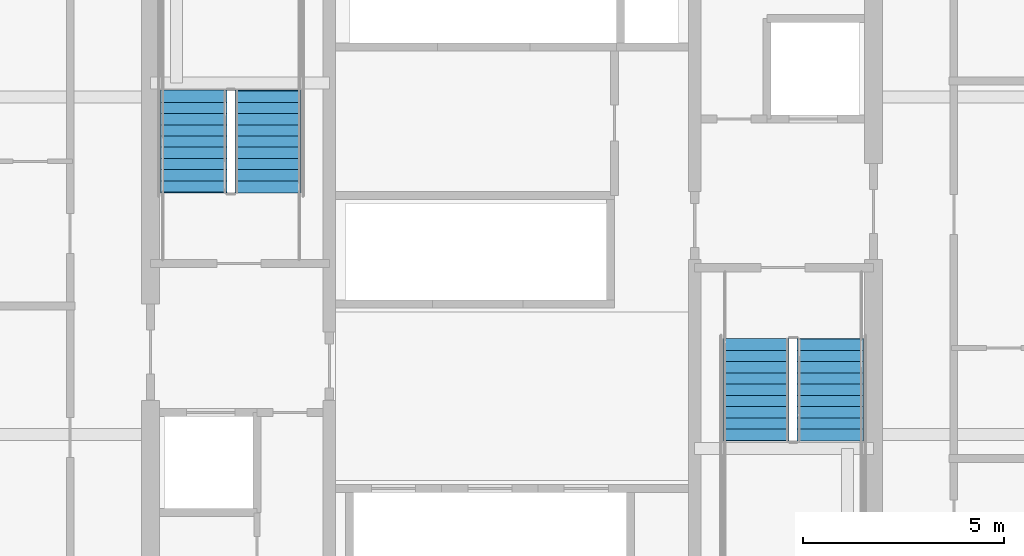
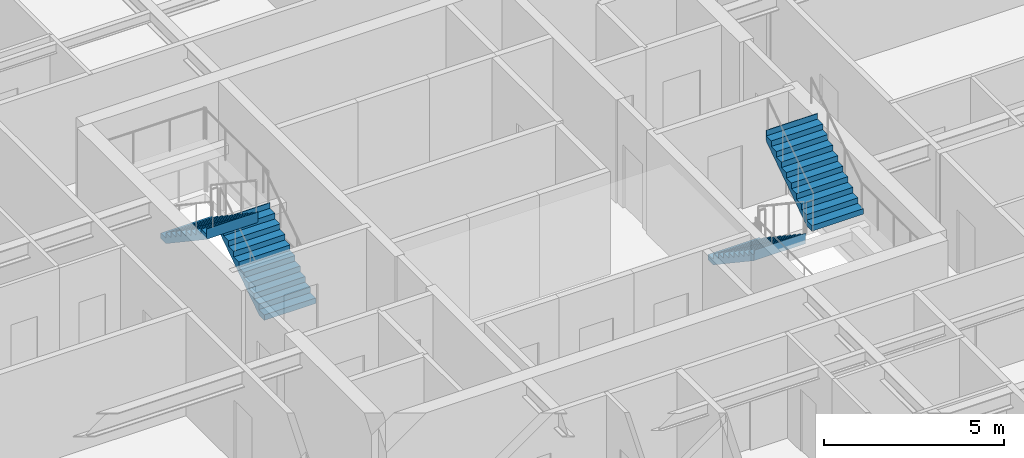
# One storey, part 33 of 38: 4 stair flights, 2 elements without a shape of their own.
"""IFC4 building model written with IfcOpenShell, lengths in metres."""

from ifc_helpers import new_model, si_unit, direction, frame, origin, place, context, subcontext, project, spatial, polygons, material, type_object, element, aggregate, save


model = new_model("IFC4")

# Units and contexts
model_context = context("Model", 3, precision=1e-05, world=origin(), true_north=direction((0.0, 1.0)))
body_context = subcontext(model_context, "Body", "Model", "MODEL_VIEW")
ifc_project = project(units=[si_unit("LENGTHUNIT", "METRE"), si_unit("AREAUNIT", "SQUARE_METRE"), si_unit("VOLUMEUNIT", "CUBIC_METRE"), si_unit("PLANEANGLEUNIT", "RADIAN"), si_unit("MASSUNIT", "GRAM", prefix="KILO")], contexts=[model_context])

# Site, building, storey
site_placement = place(None, origin())
site = spatial("IfcSite", under=ifc_project, at=site_placement, CompositionType="ELEMENT")
building_placement = place(site_placement, origin())
building = spatial("IfcBuilding", under=site, at=building_placement, Name="Serunith Strait Residences", CompositionType="ELEMENT")
storey_placement = place(building_placement, frame((0.0, 0.0, 67.949951171875)))
storey = spatial("IfcBuildingStorey", under=building, at=storey_placement, Name="L16", CompositionType="ELEMENT", Elevation=67.949951171875)

# Stair, stair flights
ifc_material = material(Name="Concrete C50/60", Category="concrete")
stair_type_1 = type_object("IfcStairType", Name="STR-CORE-1", PredefinedType="HALF_TURN_STAIR", material=ifc_material)
stair_1_placement = place(storey_placement, origin())
stair_1 = element("IfcStair", 1, at=stair_1_placement, inside=storey, type_object=stair_type_1, Name="L16 Protected Escape Stair ST-1", PredefinedType="HALF_TURN_STAIR")
stair_flight_type_1 = type_object("IfcStairFlightType", Name="FLT-CORE-1", PredefinedType="STRAIGHT", material=ifc_material)
stair_flight_1_placement = place(storey_placement, frame((26.324951171875, 27.030029296875, 0.0), z_axis=(0.0, 0.0, 1.0), x_axis=(0.0, 1.0, 0.0)))
stair_flight_1 = element("IfcStairFlight", 2, at=stair_flight_1_placement, type_object=stair_flight_type_1, Name="ST-1 flight 1", NumberOfRisers=10, NumberOfTreads=9, PredefinedType="STRAIGHT", RiserHeight=0.1875, TreadLength=0.28, context=body_context, shape_type="Tessellation", body=[
    polygons([(-0.02001953125, -0.824951171875, 0.0), (-0.02001953125, -0.824951171875, 0.1875), (0.280029296875, -0.824951171875, 0.1875), (0.280029296875, -0.824951171875, 0.375), (0.56005859375, -0.824951171875, 0.375), (0.56005859375, -0.824951171875, 0.5625), (0.840087890625, -0.824951171875, 0.5625), (0.840087890625, -0.824951171875, 0.75), (1.1201171875, -0.824951171875, 0.75), (1.1201171875, -0.824951171875, 0.9375), (1.39990234375, -0.824951171875, 0.9375), (1.39990234375, -0.824951171875, 1.125), (1.679931640625, -0.824951171875, 1.125), (1.679931640625, -0.824951171875, 1.3125), (1.9599609375, -0.824951171875, 1.3125), (1.9599609375, -0.824951171875, 1.5), (2.239990234375, -0.824951171875, 1.5), (2.239990234375, -0.824951171875, 1.6875), (2.52001953125, -0.824951171875, 1.6875), (2.52001953125, -0.824951171875, 1.875), (2.5400390625, -0.824951171875, 1.875), (2.5400390625, -0.824951171875, 1.81494140625), (2.52001953125, -0.824951171875, 1.507080078125), (0.26953125, -0.824951171875, 0.0), (-0.02001953125, -0.41259765625, 0.0), (-0.02001953125, -0.41259765625, 0.1875), (0.280029296875, -0.41259765625, 0.1875), (0.280029296875, -0.41259765625, 0.375), (0.56005859375, -0.41259765625, 0.375), (0.56005859375, -0.41259765625, 0.5625), (0.840087890625, -0.41259765625, 0.5625), (0.840087890625, -0.41259765625, 0.75), (1.1201171875, -0.41259765625, 0.75), (1.1201171875, -0.41259765625, 0.9375), (1.39990234375, -0.41259765625, 0.9375), (1.39990234375, -0.41259765625, 1.125), (1.679931640625, -0.41259765625, 1.125), (1.679931640625, -0.41259765625, 1.3125), (1.9599609375, -0.41259765625, 1.3125), (1.9599609375, -0.41259765625, 1.5), (2.239990234375, -0.41259765625, 1.5), (2.239990234375, -0.41259765625, 1.6875), (2.52001953125, -0.41259765625, 1.6875), (2.52001953125, -0.41259765625, 1.875), (2.5400390625, -0.41259765625, 1.875), (2.5400390625, -0.41259765625, 1.81494140625), (2.52001953125, -0.41259765625, 1.507080078125), (0.26953125, -0.41259765625, 0.0), (-0.02001953125, 0.0, 0.0), (-0.02001953125, 0.0, 0.1875), (0.280029296875, 0.0, 0.1875), (0.280029296875, 0.0, 0.375), (0.56005859375, 0.0, 0.375), (0.56005859375, 0.0, 0.5625), (0.840087890625, 0.0, 0.5625), (0.840087890625, 0.0, 0.75), (1.1201171875, 0.0, 0.75), (1.1201171875, 0.0, 0.9375), (1.39990234375, 0.0, 0.9375), (1.39990234375, 0.0, 1.125), (1.679931640625, 0.0, 1.125), (1.679931640625, 0.0, 1.3125), (1.9599609375, 0.0, 1.3125), (1.9599609375, 0.0, 1.5), (2.239990234375, 0.0, 1.5), (2.239990234375, 0.0, 1.6875), (2.52001953125, 0.0, 1.6875), (2.52001953125, 0.0, 1.875), (2.5400390625, 0.0, 1.875), (2.5400390625, 0.0, 1.81494140625), (2.52001953125, 0.0, 1.507080078125), (0.26953125, 0.0, 0.0), (-0.02001953125, 0.41259765625, 0.0), (-0.02001953125, 0.41259765625, 0.1875), (0.280029296875, 0.41259765625, 0.1875), (0.280029296875, 0.41259765625, 0.375), (0.56005859375, 0.41259765625, 0.375), (0.56005859375, 0.41259765625, 0.5625), (0.840087890625, 0.41259765625, 0.5625), (0.840087890625, 0.41259765625, 0.75), (1.1201171875, 0.41259765625, 0.75), (1.1201171875, 0.41259765625, 0.9375), (1.39990234375, 0.41259765625, 0.9375), (1.39990234375, 0.41259765625, 1.125), (1.679931640625, 0.41259765625, 1.125), (1.679931640625, 0.41259765625, 1.3125), (1.9599609375, 0.41259765625, 1.3125), (1.9599609375, 0.41259765625, 1.5), (2.239990234375, 0.41259765625, 1.5), (2.239990234375, 0.41259765625, 1.6875), (2.52001953125, 0.41259765625, 1.6875), (2.52001953125, 0.41259765625, 1.875), (2.5400390625, 0.41259765625, 1.875), (2.5400390625, 0.41259765625, 1.81494140625), (2.52001953125, 0.41259765625, 1.507080078125), (0.26953125, 0.41259765625, 0.0), (-0.02001953125, 0.824951171875, 0.0), (-0.02001953125, 0.824951171875, 0.1875), (0.280029296875, 0.824951171875, 0.1875), (0.280029296875, 0.824951171875, 0.375), (0.56005859375, 0.824951171875, 0.375), (0.56005859375, 0.824951171875, 0.5625), (0.840087890625, 0.824951171875, 0.5625), (0.840087890625, 0.824951171875, 0.75), (1.1201171875, 0.824951171875, 0.75), (1.1201171875, 0.824951171875, 0.9375), (1.39990234375, 0.824951171875, 0.9375), (1.39990234375, 0.824951171875, 1.125), (1.679931640625, 0.824951171875, 1.125), (1.679931640625, 0.824951171875, 1.3125), (1.9599609375, 0.824951171875, 1.3125), (1.9599609375, 0.824951171875, 1.5), (2.239990234375, 0.824951171875, 1.5), (2.239990234375, 0.824951171875, 1.6875), (2.52001953125, 0.824951171875, 1.6875), (2.52001953125, 0.824951171875, 1.875), (2.5400390625, 0.824951171875, 1.875), (2.5400390625, 0.824951171875, 1.81494140625), (2.52001953125, 0.824951171875, 1.507080078125), (0.26953125, 0.824951171875, 0.0)], [[[1, 2, 26, 25]], [[2, 3, 27, 26]], [[3, 4, 28, 27]], [[4, 5, 29, 28]], [[5, 6, 30, 29]], [[6, 7, 31, 30]], [[7, 8, 32, 31]], [[8, 9, 33, 32]], [[9, 10, 34, 33]], [[10, 11, 35, 34]], [[11, 12, 36, 35]], [[12, 13, 37, 36]], [[13, 14, 38, 37]], [[14, 15, 39, 38]], [[15, 16, 40, 39]], [[16, 17, 41, 40]], [[17, 18, 42, 41]], [[18, 19, 43, 42]], [[19, 20, 44, 43]], [[20, 21, 45, 44]], [[21, 22, 46, 45]], [[22, 23, 47, 46]], [[23, 24, 48, 47]], [[24, 1, 25, 48]], [[25, 26, 50, 49]], [[26, 27, 51, 50]], [[27, 28, 52, 51]], [[28, 29, 53, 52]], [[29, 30, 54, 53]], [[30, 31, 55, 54]], [[31, 32, 56, 55]], [[32, 33, 57, 56]], [[33, 34, 58, 57]], [[34, 35, 59, 58]], [[35, 36, 60, 59]], [[36, 37, 61, 60]], [[37, 38, 62, 61]], [[38, 39, 63, 62]], [[39, 40, 64, 63]], [[40, 41, 65, 64]], [[41, 42, 66, 65]], [[42, 43, 67, 66]], [[43, 44, 68, 67]], [[44, 45, 69, 68]], [[45, 46, 70, 69]], [[46, 47, 71, 70]], [[47, 48, 72, 71]], [[48, 25, 49, 72]], [[49, 50, 74, 73]], [[50, 51, 75, 74]], [[51, 52, 76, 75]], [[52, 53, 77, 76]], [[53, 54, 78, 77]], [[54, 55, 79, 78]], [[55, 56, 80, 79]], [[56, 57, 81, 80]], [[57, 58, 82, 81]], [[58, 59, 83, 82]], [[59, 60, 84, 83]], [[60, 61, 85, 84]], [[61, 62, 86, 85]], [[62, 63, 87, 86]], [[63, 64, 88, 87]], [[64, 65, 89, 88]], [[65, 66, 90, 89]], [[66, 67, 91, 90]], [[67, 68, 92, 91]], [[68, 69, 93, 92]], [[69, 70, 94, 93]], [[70, 71, 95, 94]], [[71, 72, 96, 95]], [[72, 49, 73, 96]], [[73, 74, 98, 97]], [[74, 75, 99, 98]], [[75, 76, 100, 99]], [[76, 77, 101, 100]], [[77, 78, 102, 101]], [[78, 79, 103, 102]], [[79, 80, 104, 103]], [[80, 81, 105, 104]], [[81, 82, 106, 105]], [[82, 83, 107, 106]], [[83, 84, 108, 107]], [[84, 85, 109, 108]], [[85, 86, 110, 109]], [[86, 87, 111, 110]], [[87, 88, 112, 111]], [[88, 89, 113, 112]], [[89, 90, 114, 113]], [[90, 91, 115, 114]], [[91, 92, 116, 115]], [[92, 93, 117, 116]], [[93, 94, 118, 117]], [[94, 95, 119, 118]], [[95, 96, 120, 119]], [[96, 73, 97, 120]], [[24, 23, 22, 21, 20, 19, 18, 17, 16, 15, 14, 13, 12, 11, 10, 9, 8, 7, 6, 5, 4, 3, 2, 1]], [[97, 98, 99, 100, 101, 102, 103, 104, 105, 106, 107, 108, 109, 110, 111, 112, 113, 114, 115, 116, 117, 118, 119, 120]]], closed=True),
])
stair_flight_2_placement = place(storey_placement, frame((24.47509765625, 29.550048828125, 1.875), z_axis=(0.0, 0.0, 1.0), x_axis=(0.0, -1.0, 0.0)))
stair_flight_2 = element("IfcStairFlight", 3, at=stair_flight_2_placement, type_object=stair_flight_type_1, Name="ST-1 flight 2", NumberOfRisers=10, NumberOfTreads=9, PredefinedType="STRAIGHT", RiserHeight=0.1875, TreadLength=0.28, context=body_context, shape_type="Tessellation", body=[
    polygons([(-0.02001953125, -0.824951171875, 0.0), (-0.02001953125, -0.824951171875, 0.1875), (0.280029296875, -0.824951171875, 0.1875), (0.280029296875, -0.824951171875, 0.375), (0.56005859375, -0.824951171875, 0.375), (0.56005859375, -0.824951171875, 0.5625), (0.840087890625, -0.824951171875, 0.5625), (0.840087890625, -0.824951171875, 0.75), (1.1201171875, -0.824951171875, 0.75), (1.1201171875, -0.824951171875, 0.9375), (1.39990234375, -0.824951171875, 0.9375), (1.39990234375, -0.824951171875, 1.125), (1.679931640625, -0.824951171875, 1.125), (1.679931640625, -0.824951171875, 1.3125), (1.9599609375, -0.824951171875, 1.3125), (1.9599609375, -0.824951171875, 1.5), (2.239990234375, -0.824951171875, 1.5), (2.239990234375, -0.824951171875, 1.6875), (2.52001953125, -0.824951171875, 1.6875), (2.52001953125, -0.824951171875, 1.875), (2.5400390625, -0.824951171875, 1.875), (2.5400390625, -0.824951171875, 1.81494140625), (2.52001953125, -0.824951171875, 1.507080078125), (0.26953125, -0.824951171875, 0.0), (-0.02001953125, -0.41259765625, 0.0), (-0.02001953125, -0.41259765625, 0.1875), (0.280029296875, -0.41259765625, 0.1875), (0.280029296875, -0.41259765625, 0.375), (0.56005859375, -0.41259765625, 0.375), (0.56005859375, -0.41259765625, 0.5625), (0.840087890625, -0.41259765625, 0.5625), (0.840087890625, -0.41259765625, 0.75), (1.1201171875, -0.41259765625, 0.75), (1.1201171875, -0.41259765625, 0.9375), (1.39990234375, -0.41259765625, 0.9375), (1.39990234375, -0.41259765625, 1.125), (1.679931640625, -0.41259765625, 1.125), (1.679931640625, -0.41259765625, 1.3125), (1.9599609375, -0.41259765625, 1.3125), (1.9599609375, -0.41259765625, 1.5), (2.239990234375, -0.41259765625, 1.5), (2.239990234375, -0.41259765625, 1.6875), (2.52001953125, -0.41259765625, 1.6875), (2.52001953125, -0.41259765625, 1.875), (2.5400390625, -0.41259765625, 1.875), (2.5400390625, -0.41259765625, 1.81494140625), (2.52001953125, -0.41259765625, 1.507080078125), (0.26953125, -0.41259765625, 0.0), (-0.02001953125, 0.0, 0.0), (-0.02001953125, 0.0, 0.1875), (0.280029296875, 0.0, 0.1875), (0.280029296875, 0.0, 0.375), (0.56005859375, 0.0, 0.375), (0.56005859375, 0.0, 0.5625), (0.840087890625, 0.0, 0.5625), (0.840087890625, 0.0, 0.75), (1.1201171875, 0.0, 0.75), (1.1201171875, 0.0, 0.9375), (1.39990234375, 0.0, 0.9375), (1.39990234375, 0.0, 1.125), (1.679931640625, 0.0, 1.125), (1.679931640625, 0.0, 1.3125), (1.9599609375, 0.0, 1.3125), (1.9599609375, 0.0, 1.5), (2.239990234375, 0.0, 1.5), (2.239990234375, 0.0, 1.6875), (2.52001953125, 0.0, 1.6875), (2.52001953125, 0.0, 1.875), (2.5400390625, 0.0, 1.875), (2.5400390625, 0.0, 1.81494140625), (2.52001953125, 0.0, 1.507080078125), (0.26953125, 0.0, 0.0), (-0.02001953125, 0.41259765625, 0.0), (-0.02001953125, 0.41259765625, 0.1875), (0.280029296875, 0.41259765625, 0.1875), (0.280029296875, 0.41259765625, 0.375), (0.56005859375, 0.41259765625, 0.375), (0.56005859375, 0.41259765625, 0.5625), (0.840087890625, 0.41259765625, 0.5625), (0.840087890625, 0.41259765625, 0.75), (1.1201171875, 0.41259765625, 0.75), (1.1201171875, 0.41259765625, 0.9375), (1.39990234375, 0.41259765625, 0.9375), (1.39990234375, 0.41259765625, 1.125), (1.679931640625, 0.41259765625, 1.125), (1.679931640625, 0.41259765625, 1.3125), (1.9599609375, 0.41259765625, 1.3125), (1.9599609375, 0.41259765625, 1.5), (2.239990234375, 0.41259765625, 1.5), (2.239990234375, 0.41259765625, 1.6875), (2.52001953125, 0.41259765625, 1.6875), (2.52001953125, 0.41259765625, 1.875), (2.5400390625, 0.41259765625, 1.875), (2.5400390625, 0.41259765625, 1.81494140625), (2.52001953125, 0.41259765625, 1.507080078125), (0.26953125, 0.41259765625, 0.0), (-0.02001953125, 0.824951171875, 0.0), (-0.02001953125, 0.824951171875, 0.1875), (0.280029296875, 0.824951171875, 0.1875), (0.280029296875, 0.824951171875, 0.375), (0.56005859375, 0.824951171875, 0.375), (0.56005859375, 0.824951171875, 0.5625), (0.840087890625, 0.824951171875, 0.5625), (0.840087890625, 0.824951171875, 0.75), (1.1201171875, 0.824951171875, 0.75), (1.1201171875, 0.824951171875, 0.9375), (1.39990234375, 0.824951171875, 0.9375), (1.39990234375, 0.824951171875, 1.125), (1.679931640625, 0.824951171875, 1.125), (1.679931640625, 0.824951171875, 1.3125), (1.9599609375, 0.824951171875, 1.3125), (1.9599609375, 0.824951171875, 1.5), (2.239990234375, 0.824951171875, 1.5), (2.239990234375, 0.824951171875, 1.6875), (2.52001953125, 0.824951171875, 1.6875), (2.52001953125, 0.824951171875, 1.875), (2.5400390625, 0.824951171875, 1.875), (2.5400390625, 0.824951171875, 1.81494140625), (2.52001953125, 0.824951171875, 1.507080078125), (0.26953125, 0.824951171875, 0.0)], [[[1, 2, 26, 25]], [[2, 3, 27, 26]], [[3, 4, 28, 27]], [[4, 5, 29, 28]], [[5, 6, 30, 29]], [[6, 7, 31, 30]], [[7, 8, 32, 31]], [[8, 9, 33, 32]], [[9, 10, 34, 33]], [[10, 11, 35, 34]], [[11, 12, 36, 35]], [[12, 13, 37, 36]], [[13, 14, 38, 37]], [[14, 15, 39, 38]], [[15, 16, 40, 39]], [[16, 17, 41, 40]], [[17, 18, 42, 41]], [[18, 19, 43, 42]], [[19, 20, 44, 43]], [[20, 21, 45, 44]], [[21, 22, 46, 45]], [[22, 23, 47, 46]], [[23, 24, 48, 47]], [[24, 1, 25, 48]], [[25, 26, 50, 49]], [[26, 27, 51, 50]], [[27, 28, 52, 51]], [[28, 29, 53, 52]], [[29, 30, 54, 53]], [[30, 31, 55, 54]], [[31, 32, 56, 55]], [[32, 33, 57, 56]], [[33, 34, 58, 57]], [[34, 35, 59, 58]], [[35, 36, 60, 59]], [[36, 37, 61, 60]], [[37, 38, 62, 61]], [[38, 39, 63, 62]], [[39, 40, 64, 63]], [[40, 41, 65, 64]], [[41, 42, 66, 65]], [[42, 43, 67, 66]], [[43, 44, 68, 67]], [[44, 45, 69, 68]], [[45, 46, 70, 69]], [[46, 47, 71, 70]], [[47, 48, 72, 71]], [[48, 25, 49, 72]], [[49, 50, 74, 73]], [[50, 51, 75, 74]], [[51, 52, 76, 75]], [[52, 53, 77, 76]], [[53, 54, 78, 77]], [[54, 55, 79, 78]], [[55, 56, 80, 79]], [[56, 57, 81, 80]], [[57, 58, 82, 81]], [[58, 59, 83, 82]], [[59, 60, 84, 83]], [[60, 61, 85, 84]], [[61, 62, 86, 85]], [[62, 63, 87, 86]], [[63, 64, 88, 87]], [[64, 65, 89, 88]], [[65, 66, 90, 89]], [[66, 67, 91, 90]], [[67, 68, 92, 91]], [[68, 69, 93, 92]], [[69, 70, 94, 93]], [[70, 71, 95, 94]], [[71, 72, 96, 95]], [[72, 49, 73, 96]], [[73, 74, 98, 97]], [[74, 75, 99, 98]], [[75, 76, 100, 99]], [[76, 77, 101, 100]], [[77, 78, 102, 101]], [[78, 79, 103, 102]], [[79, 80, 104, 103]], [[80, 81, 105, 104]], [[81, 82, 106, 105]], [[82, 83, 107, 106]], [[83, 84, 108, 107]], [[84, 85, 109, 108]], [[85, 86, 110, 109]], [[86, 87, 111, 110]], [[87, 88, 112, 111]], [[88, 89, 113, 112]], [[89, 90, 114, 113]], [[90, 91, 115, 114]], [[91, 92, 116, 115]], [[92, 93, 117, 116]], [[93, 94, 118, 117]], [[94, 95, 119, 118]], [[95, 96, 120, 119]], [[96, 73, 97, 120]], [[24, 23, 22, 21, 20, 19, 18, 17, 16, 15, 14, 13, 12, 11, 10, 9, 8, 7, 6, 5, 4, 3, 2, 1]], [[97, 98, 99, 100, 101, 102, 103, 104, 105, 106, 107, 108, 109, 110, 111, 112, 113, 114, 115, 116, 117, 118, 119, 120]]], closed=True),
])
aggregate(stair_1, [stair_flight_1, stair_flight_2])

stair_type_2 = type_object("IfcStairType", Name="STR-CORE-2", PredefinedType="HALF_TURN_STAIR", material=ifc_material)
stair_2_placement = place(storey_placement, origin())
stair_2 = element("IfcStair", 4, at=stair_2_placement, inside=storey, type_object=stair_type_2, Name="L16 Protected Escape Stair ST-2", PredefinedType="HALF_TURN_STAIR")
stair_flight_type_2 = type_object("IfcStairFlightType", Name="FLT-CORE-2", PredefinedType="STRAIGHT", material=ifc_material)
stair_flight_3_placement = place(storey_placement, frame((38.47509765625, 23.3701171875, 0.0), z_axis=(0.0, 0.0, 1.0), x_axis=(0.0, -1.0, 0.0)))
stair_flight_3 = element("IfcStairFlight", 5, at=stair_flight_3_placement, type_object=stair_flight_type_2, Name="ST-2 flight 1", NumberOfRisers=10, NumberOfTreads=9, PredefinedType="STRAIGHT", RiserHeight=0.1875, TreadLength=0.28, context=body_context, shape_type="Tessellation", body=[
    polygons([(-0.02001953125, -0.824951171875, 0.0), (-0.02001953125, -0.824951171875, 0.1875), (0.280029296875, -0.824951171875, 0.1875), (0.280029296875, -0.824951171875, 0.375), (0.56005859375, -0.824951171875, 0.375), (0.56005859375, -0.824951171875, 0.5625), (0.840087890625, -0.824951171875, 0.5625), (0.840087890625, -0.824951171875, 0.75), (1.1201171875, -0.824951171875, 0.75), (1.1201171875, -0.824951171875, 0.9375), (1.39990234375, -0.824951171875, 0.9375), (1.39990234375, -0.824951171875, 1.125), (1.679931640625, -0.824951171875, 1.125), (1.679931640625, -0.824951171875, 1.3125), (1.9599609375, -0.824951171875, 1.3125), (1.9599609375, -0.824951171875, 1.5), (2.239990234375, -0.824951171875, 1.5), (2.239990234375, -0.824951171875, 1.6875), (2.52001953125, -0.824951171875, 1.6875), (2.52001953125, -0.824951171875, 1.875), (2.5400390625, -0.824951171875, 1.875), (2.5400390625, -0.824951171875, 1.81494140625), (2.52001953125, -0.824951171875, 1.507080078125), (0.26953125, -0.824951171875, 0.0), (-0.02001953125, -0.41259765625, 0.0), (-0.02001953125, -0.41259765625, 0.1875), (0.280029296875, -0.41259765625, 0.1875), (0.280029296875, -0.41259765625, 0.375), (0.56005859375, -0.41259765625, 0.375), (0.56005859375, -0.41259765625, 0.5625), (0.840087890625, -0.41259765625, 0.5625), (0.840087890625, -0.41259765625, 0.75), (1.1201171875, -0.41259765625, 0.75), (1.1201171875, -0.41259765625, 0.9375), (1.39990234375, -0.41259765625, 0.9375), (1.39990234375, -0.41259765625, 1.125), (1.679931640625, -0.41259765625, 1.125), (1.679931640625, -0.41259765625, 1.3125), (1.9599609375, -0.41259765625, 1.3125), (1.9599609375, -0.41259765625, 1.5), (2.239990234375, -0.41259765625, 1.5), (2.239990234375, -0.41259765625, 1.6875), (2.52001953125, -0.41259765625, 1.6875), (2.52001953125, -0.41259765625, 1.875), (2.5400390625, -0.41259765625, 1.875), (2.5400390625, -0.41259765625, 1.81494140625), (2.52001953125, -0.41259765625, 1.507080078125), (0.26953125, -0.41259765625, 0.0), (-0.02001953125, 0.0, 0.0), (-0.02001953125, 0.0, 0.1875), (0.280029296875, 0.0, 0.1875), (0.280029296875, 0.0, 0.375), (0.56005859375, 0.0, 0.375), (0.56005859375, 0.0, 0.5625), (0.840087890625, 0.0, 0.5625), (0.840087890625, 0.0, 0.75), (1.1201171875, 0.0, 0.75), (1.1201171875, 0.0, 0.9375), (1.39990234375, 0.0, 0.9375), (1.39990234375, 0.0, 1.125), (1.679931640625, 0.0, 1.125), (1.679931640625, 0.0, 1.3125), (1.9599609375, 0.0, 1.3125), (1.9599609375, 0.0, 1.5), (2.239990234375, 0.0, 1.5), (2.239990234375, 0.0, 1.6875), (2.52001953125, 0.0, 1.6875), (2.52001953125, 0.0, 1.875), (2.5400390625, 0.0, 1.875), (2.5400390625, 0.0, 1.81494140625), (2.52001953125, 0.0, 1.507080078125), (0.26953125, 0.0, 0.0), (-0.02001953125, 0.41259765625, 0.0), (-0.02001953125, 0.41259765625, 0.1875), (0.280029296875, 0.41259765625, 0.1875), (0.280029296875, 0.41259765625, 0.375), (0.56005859375, 0.41259765625, 0.375), (0.56005859375, 0.41259765625, 0.5625), (0.840087890625, 0.41259765625, 0.5625), (0.840087890625, 0.41259765625, 0.75), (1.1201171875, 0.41259765625, 0.75), (1.1201171875, 0.41259765625, 0.9375), (1.39990234375, 0.41259765625, 0.9375), (1.39990234375, 0.41259765625, 1.125), (1.679931640625, 0.41259765625, 1.125), (1.679931640625, 0.41259765625, 1.3125), (1.9599609375, 0.41259765625, 1.3125), (1.9599609375, 0.41259765625, 1.5), (2.239990234375, 0.41259765625, 1.5), (2.239990234375, 0.41259765625, 1.6875), (2.52001953125, 0.41259765625, 1.6875), (2.52001953125, 0.41259765625, 1.875), (2.5400390625, 0.41259765625, 1.875), (2.5400390625, 0.41259765625, 1.81494140625), (2.52001953125, 0.41259765625, 1.507080078125), (0.26953125, 0.41259765625, 0.0), (-0.02001953125, 0.824951171875, 0.0), (-0.02001953125, 0.824951171875, 0.1875), (0.280029296875, 0.824951171875, 0.1875), (0.280029296875, 0.824951171875, 0.375), (0.56005859375, 0.824951171875, 0.375), (0.56005859375, 0.824951171875, 0.5625), (0.840087890625, 0.824951171875, 0.5625), (0.840087890625, 0.824951171875, 0.75), (1.1201171875, 0.824951171875, 0.75), (1.1201171875, 0.824951171875, 0.9375), (1.39990234375, 0.824951171875, 0.9375), (1.39990234375, 0.824951171875, 1.125), (1.679931640625, 0.824951171875, 1.125), (1.679931640625, 0.824951171875, 1.3125), (1.9599609375, 0.824951171875, 1.3125), (1.9599609375, 0.824951171875, 1.5), (2.239990234375, 0.824951171875, 1.5), (2.239990234375, 0.824951171875, 1.6875), (2.52001953125, 0.824951171875, 1.6875), (2.52001953125, 0.824951171875, 1.875), (2.5400390625, 0.824951171875, 1.875), (2.5400390625, 0.824951171875, 1.81494140625), (2.52001953125, 0.824951171875, 1.507080078125), (0.26953125, 0.824951171875, 0.0)], [[[1, 2, 26, 25]], [[2, 3, 27, 26]], [[3, 4, 28, 27]], [[4, 5, 29, 28]], [[5, 6, 30, 29]], [[6, 7, 31, 30]], [[7, 8, 32, 31]], [[8, 9, 33, 32]], [[9, 10, 34, 33]], [[10, 11, 35, 34]], [[11, 12, 36, 35]], [[12, 13, 37, 36]], [[13, 14, 38, 37]], [[14, 15, 39, 38]], [[15, 16, 40, 39]], [[16, 17, 41, 40]], [[17, 18, 42, 41]], [[18, 19, 43, 42]], [[19, 20, 44, 43]], [[20, 21, 45, 44]], [[21, 22, 46, 45]], [[22, 23, 47, 46]], [[23, 24, 48, 47]], [[24, 1, 25, 48]], [[25, 26, 50, 49]], [[26, 27, 51, 50]], [[27, 28, 52, 51]], [[28, 29, 53, 52]], [[29, 30, 54, 53]], [[30, 31, 55, 54]], [[31, 32, 56, 55]], [[32, 33, 57, 56]], [[33, 34, 58, 57]], [[34, 35, 59, 58]], [[35, 36, 60, 59]], [[36, 37, 61, 60]], [[37, 38, 62, 61]], [[38, 39, 63, 62]], [[39, 40, 64, 63]], [[40, 41, 65, 64]], [[41, 42, 66, 65]], [[42, 43, 67, 66]], [[43, 44, 68, 67]], [[44, 45, 69, 68]], [[45, 46, 70, 69]], [[46, 47, 71, 70]], [[47, 48, 72, 71]], [[48, 25, 49, 72]], [[49, 50, 74, 73]], [[50, 51, 75, 74]], [[51, 52, 76, 75]], [[52, 53, 77, 76]], [[53, 54, 78, 77]], [[54, 55, 79, 78]], [[55, 56, 80, 79]], [[56, 57, 81, 80]], [[57, 58, 82, 81]], [[58, 59, 83, 82]], [[59, 60, 84, 83]], [[60, 61, 85, 84]], [[61, 62, 86, 85]], [[62, 63, 87, 86]], [[63, 64, 88, 87]], [[64, 65, 89, 88]], [[65, 66, 90, 89]], [[66, 67, 91, 90]], [[67, 68, 92, 91]], [[68, 69, 93, 92]], [[69, 70, 94, 93]], [[70, 71, 95, 94]], [[71, 72, 96, 95]], [[72, 49, 73, 96]], [[73, 74, 98, 97]], [[74, 75, 99, 98]], [[75, 76, 100, 99]], [[76, 77, 101, 100]], [[77, 78, 102, 101]], [[78, 79, 103, 102]], [[79, 80, 104, 103]], [[80, 81, 105, 104]], [[81, 82, 106, 105]], [[82, 83, 107, 106]], [[83, 84, 108, 107]], [[84, 85, 109, 108]], [[85, 86, 110, 109]], [[86, 87, 111, 110]], [[87, 88, 112, 111]], [[88, 89, 113, 112]], [[89, 90, 114, 113]], [[90, 91, 115, 114]], [[91, 92, 116, 115]], [[92, 93, 117, 116]], [[93, 94, 118, 117]], [[94, 95, 119, 118]], [[95, 96, 120, 119]], [[96, 73, 97, 120]], [[24, 23, 22, 21, 20, 19, 18, 17, 16, 15, 14, 13, 12, 11, 10, 9, 8, 7, 6, 5, 4, 3, 2, 1]], [[97, 98, 99, 100, 101, 102, 103, 104, 105, 106, 107, 108, 109, 110, 111, 112, 113, 114, 115, 116, 117, 118, 119, 120]]], closed=True),
])
stair_flight_4_placement = place(storey_placement, frame((40.324951171875, 20.85009765625, 1.875), z_axis=(0.0, 0.0, 1.0), x_axis=(0.0, 1.0, 0.0)))
stair_flight_4 = element("IfcStairFlight", 6, at=stair_flight_4_placement, type_object=stair_flight_type_2, Name="ST-2 flight 2", NumberOfRisers=10, NumberOfTreads=9, PredefinedType="STRAIGHT", RiserHeight=0.1875, TreadLength=0.28, context=body_context, shape_type="Tessellation", body=[
    polygons([(-0.02001953125, -0.824951171875, 0.0), (-0.02001953125, -0.824951171875, 0.1875), (0.280029296875, -0.824951171875, 0.1875), (0.280029296875, -0.824951171875, 0.375), (0.56005859375, -0.824951171875, 0.375), (0.56005859375, -0.824951171875, 0.5625), (0.840087890625, -0.824951171875, 0.5625), (0.840087890625, -0.824951171875, 0.75), (1.1201171875, -0.824951171875, 0.75), (1.1201171875, -0.824951171875, 0.9375), (1.39990234375, -0.824951171875, 0.9375), (1.39990234375, -0.824951171875, 1.125), (1.679931640625, -0.824951171875, 1.125), (1.679931640625, -0.824951171875, 1.3125), (1.9599609375, -0.824951171875, 1.3125), (1.9599609375, -0.824951171875, 1.5), (2.239990234375, -0.824951171875, 1.5), (2.239990234375, -0.824951171875, 1.6875), (2.52001953125, -0.824951171875, 1.6875), (2.52001953125, -0.824951171875, 1.875), (2.5400390625, -0.824951171875, 1.875), (2.5400390625, -0.824951171875, 1.81494140625), (2.52001953125, -0.824951171875, 1.507080078125), (0.26953125, -0.824951171875, 0.0), (-0.02001953125, -0.41259765625, 0.0), (-0.02001953125, -0.41259765625, 0.1875), (0.280029296875, -0.41259765625, 0.1875), (0.280029296875, -0.41259765625, 0.375), (0.56005859375, -0.41259765625, 0.375), (0.56005859375, -0.41259765625, 0.5625), (0.840087890625, -0.41259765625, 0.5625), (0.840087890625, -0.41259765625, 0.75), (1.1201171875, -0.41259765625, 0.75), (1.1201171875, -0.41259765625, 0.9375), (1.39990234375, -0.41259765625, 0.9375), (1.39990234375, -0.41259765625, 1.125), (1.679931640625, -0.41259765625, 1.125), (1.679931640625, -0.41259765625, 1.3125), (1.9599609375, -0.41259765625, 1.3125), (1.9599609375, -0.41259765625, 1.5), (2.239990234375, -0.41259765625, 1.5), (2.239990234375, -0.41259765625, 1.6875), (2.52001953125, -0.41259765625, 1.6875), (2.52001953125, -0.41259765625, 1.875), (2.5400390625, -0.41259765625, 1.875), (2.5400390625, -0.41259765625, 1.81494140625), (2.52001953125, -0.41259765625, 1.507080078125), (0.26953125, -0.41259765625, 0.0), (-0.02001953125, 0.0, 0.0), (-0.02001953125, 0.0, 0.1875), (0.280029296875, 0.0, 0.1875), (0.280029296875, 0.0, 0.375), (0.56005859375, 0.0, 0.375), (0.56005859375, 0.0, 0.5625), (0.840087890625, 0.0, 0.5625), (0.840087890625, 0.0, 0.75), (1.1201171875, 0.0, 0.75), (1.1201171875, 0.0, 0.9375), (1.39990234375, 0.0, 0.9375), (1.39990234375, 0.0, 1.125), (1.679931640625, 0.0, 1.125), (1.679931640625, 0.0, 1.3125), (1.9599609375, 0.0, 1.3125), (1.9599609375, 0.0, 1.5), (2.239990234375, 0.0, 1.5), (2.239990234375, 0.0, 1.6875), (2.52001953125, 0.0, 1.6875), (2.52001953125, 0.0, 1.875), (2.5400390625, 0.0, 1.875), (2.5400390625, 0.0, 1.81494140625), (2.52001953125, 0.0, 1.507080078125), (0.26953125, 0.0, 0.0), (-0.02001953125, 0.41259765625, 0.0), (-0.02001953125, 0.41259765625, 0.1875), (0.280029296875, 0.41259765625, 0.1875), (0.280029296875, 0.41259765625, 0.375), (0.56005859375, 0.41259765625, 0.375), (0.56005859375, 0.41259765625, 0.5625), (0.840087890625, 0.41259765625, 0.5625), (0.840087890625, 0.41259765625, 0.75), (1.1201171875, 0.41259765625, 0.75), (1.1201171875, 0.41259765625, 0.9375), (1.39990234375, 0.41259765625, 0.9375), (1.39990234375, 0.41259765625, 1.125), (1.679931640625, 0.41259765625, 1.125), (1.679931640625, 0.41259765625, 1.3125), (1.9599609375, 0.41259765625, 1.3125), (1.9599609375, 0.41259765625, 1.5), (2.239990234375, 0.41259765625, 1.5), (2.239990234375, 0.41259765625, 1.6875), (2.52001953125, 0.41259765625, 1.6875), (2.52001953125, 0.41259765625, 1.875), (2.5400390625, 0.41259765625, 1.875), (2.5400390625, 0.41259765625, 1.81494140625), (2.52001953125, 0.41259765625, 1.507080078125), (0.26953125, 0.41259765625, 0.0), (-0.02001953125, 0.824951171875, 0.0), (-0.02001953125, 0.824951171875, 0.1875), (0.280029296875, 0.824951171875, 0.1875), (0.280029296875, 0.824951171875, 0.375), (0.56005859375, 0.824951171875, 0.375), (0.56005859375, 0.824951171875, 0.5625), (0.840087890625, 0.824951171875, 0.5625), (0.840087890625, 0.824951171875, 0.75), (1.1201171875, 0.824951171875, 0.75), (1.1201171875, 0.824951171875, 0.9375), (1.39990234375, 0.824951171875, 0.9375), (1.39990234375, 0.824951171875, 1.125), (1.679931640625, 0.824951171875, 1.125), (1.679931640625, 0.824951171875, 1.3125), (1.9599609375, 0.824951171875, 1.3125), (1.9599609375, 0.824951171875, 1.5), (2.239990234375, 0.824951171875, 1.5), (2.239990234375, 0.824951171875, 1.6875), (2.52001953125, 0.824951171875, 1.6875), (2.52001953125, 0.824951171875, 1.875), (2.5400390625, 0.824951171875, 1.875), (2.5400390625, 0.824951171875, 1.81494140625), (2.52001953125, 0.824951171875, 1.507080078125), (0.26953125, 0.824951171875, 0.0)], [[[1, 2, 26, 25]], [[2, 3, 27, 26]], [[3, 4, 28, 27]], [[4, 5, 29, 28]], [[5, 6, 30, 29]], [[6, 7, 31, 30]], [[7, 8, 32, 31]], [[8, 9, 33, 32]], [[9, 10, 34, 33]], [[10, 11, 35, 34]], [[11, 12, 36, 35]], [[12, 13, 37, 36]], [[13, 14, 38, 37]], [[14, 15, 39, 38]], [[15, 16, 40, 39]], [[16, 17, 41, 40]], [[17, 18, 42, 41]], [[18, 19, 43, 42]], [[19, 20, 44, 43]], [[20, 21, 45, 44]], [[21, 22, 46, 45]], [[22, 23, 47, 46]], [[23, 24, 48, 47]], [[24, 1, 25, 48]], [[25, 26, 50, 49]], [[26, 27, 51, 50]], [[27, 28, 52, 51]], [[28, 29, 53, 52]], [[29, 30, 54, 53]], [[30, 31, 55, 54]], [[31, 32, 56, 55]], [[32, 33, 57, 56]], [[33, 34, 58, 57]], [[34, 35, 59, 58]], [[35, 36, 60, 59]], [[36, 37, 61, 60]], [[37, 38, 62, 61]], [[38, 39, 63, 62]], [[39, 40, 64, 63]], [[40, 41, 65, 64]], [[41, 42, 66, 65]], [[42, 43, 67, 66]], [[43, 44, 68, 67]], [[44, 45, 69, 68]], [[45, 46, 70, 69]], [[46, 47, 71, 70]], [[47, 48, 72, 71]], [[48, 25, 49, 72]], [[49, 50, 74, 73]], [[50, 51, 75, 74]], [[51, 52, 76, 75]], [[52, 53, 77, 76]], [[53, 54, 78, 77]], [[54, 55, 79, 78]], [[55, 56, 80, 79]], [[56, 57, 81, 80]], [[57, 58, 82, 81]], [[58, 59, 83, 82]], [[59, 60, 84, 83]], [[60, 61, 85, 84]], [[61, 62, 86, 85]], [[62, 63, 87, 86]], [[63, 64, 88, 87]], [[64, 65, 89, 88]], [[65, 66, 90, 89]], [[66, 67, 91, 90]], [[67, 68, 92, 91]], [[68, 69, 93, 92]], [[69, 70, 94, 93]], [[70, 71, 95, 94]], [[71, 72, 96, 95]], [[72, 49, 73, 96]], [[73, 74, 98, 97]], [[74, 75, 99, 98]], [[75, 76, 100, 99]], [[76, 77, 101, 100]], [[77, 78, 102, 101]], [[78, 79, 103, 102]], [[79, 80, 104, 103]], [[80, 81, 105, 104]], [[81, 82, 106, 105]], [[82, 83, 107, 106]], [[83, 84, 108, 107]], [[84, 85, 109, 108]], [[85, 86, 110, 109]], [[86, 87, 111, 110]], [[87, 88, 112, 111]], [[88, 89, 113, 112]], [[89, 90, 114, 113]], [[90, 91, 115, 114]], [[91, 92, 116, 115]], [[92, 93, 117, 116]], [[93, 94, 118, 117]], [[94, 95, 119, 118]], [[95, 96, 120, 119]], [[96, 73, 97, 120]], [[24, 23, 22, 21, 20, 19, 18, 17, 16, 15, 14, 13, 12, 11, 10, 9, 8, 7, 6, 5, 4, 3, 2, 1]], [[97, 98, 99, 100, 101, 102, 103, 104, 105, 106, 107, 108, 109, 110, 111, 112, 113, 114, 115, 116, 117, 118, 119, 120]]], closed=True),
])
aggregate(stair_2, [stair_flight_3, stair_flight_4])

save(model, "model.ifc")
